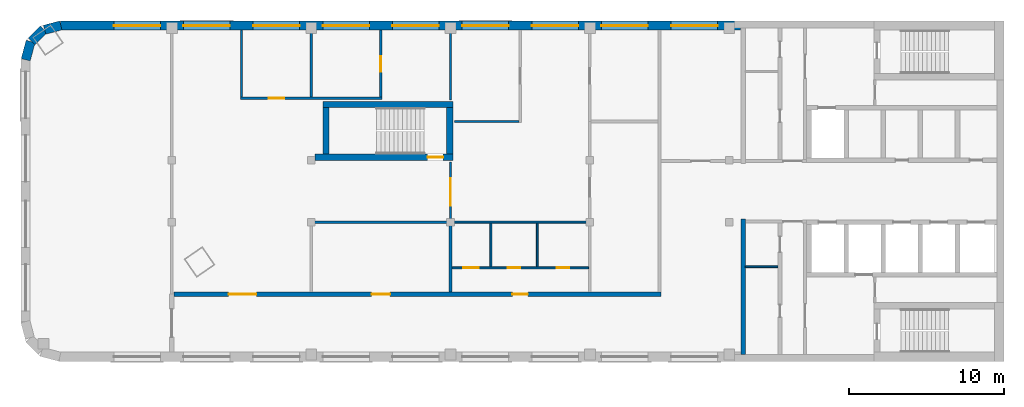
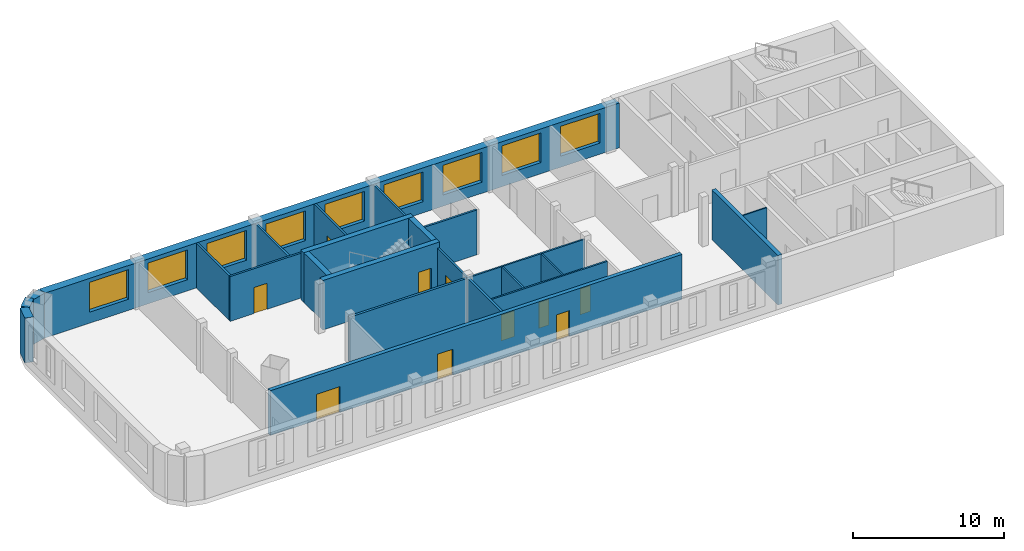
# One storey, part 2 of 5: 24 walls, 10 doors, 9 windows, 19 openings.
"""IFC4 building model written with IfcOpenShell, lengths in metres."""

import ifcopenshell
import ifcopenshell.guid

model = None  # the IFC model being written
_history = None  # IfcOwnerHistory: only IFC2X3 demands one
_inside = {}  # id of a spatial element -> (the spatial element, [elements in it])
_under = {}  # id of a project, library or spatial element -> (it, [spatial elements below it])
_declared = {}  # id of a project -> (the project, [libraries it declares])
_typed = {}  # id of a type object -> (the type object, [elements of that type])
_made_of = {}  # id of a material, layer set ... -> (it, [elements and type objects made of it])


def new_model(schema):
    """Start an empty IFC model of exactly this schema.

    Asked for "IFC4X3", IfcOpenShell would pick the latest addendum, in which some entities
    have other attributes; the version numbers below select the first issue.
    IFC2X3 requires an IfcOwnerHistory on every rooted entity: one is made here for all.
    """
    global model, _history
    if schema == "IFC4X3":
        model = ifcopenshell.file(schema_version=(4, 3, 0, 0))
    else:
        model = ifcopenshell.file(schema=schema)
    _inside.clear()
    _under.clear()
    _declared.clear()
    _typed.clear()
    _made_of.clear()
    _history = None
    if model.schema == "IFC2X3":
        org = make("IfcOrganization", Name="unknown")
        user = make(
            "IfcPersonAndOrganization",
            ThePerson=make("IfcPerson", FamilyName="unknown"),
            TheOrganization=org,
        )
        app = make(
            "IfcApplication",
            ApplicationDeveloper=org,
            Version="unknown",
            ApplicationFullName="unknown",
            ApplicationIdentifier="unknown",
        )
        _history = make(
            "IfcOwnerHistory",
            OwningUser=user,
            OwningApplication=app,
            ChangeAction="ADDED",
            CreationDate=0,
        )
    return model


def make(cls, **values):
    """One entity of the class cls with the attributes given. An attribute that is None is left unset."""
    return model.create_entity(
        cls, **{name: value for name, value in values.items() if value is not None}
    )


def rooted(cls, **values):
    """An entity with a GlobalId (a new one), such as an element, a storey or a relation."""
    return make(cls, GlobalId=ifcopenshell.guid.new(), OwnerHistory=_history, **values)


def si_unit(unit_type, name, prefix=None):
    """IfcSIUnit, for example si_unit("LENGTHUNIT", "METRE", prefix="MILLI")."""
    return make("IfcSIUnit", UnitType=unit_type, Prefix=prefix, Name=name)


def assignment(units):
    """IfcUnitAssignment: the units of a project."""
    return None if units is None else make("IfcUnitAssignment", Units=units)


def point(xyz):
    """IfcCartesianPoint."""
    return None if xyz is None else make("IfcCartesianPoint", Coordinates=xyz)


def direction(xyz):
    """IfcDirection."""
    return None if xyz is None else make("IfcDirection", DirectionRatios=xyz)


def frame(location, z_axis=None, x_axis=None):
    """IfcAxis2Placement3D, a coordinate frame: its origin and axes. An axis left out is left unset."""
    return make(
        "IfcAxis2Placement3D",
        Location=point(location),
        Axis=direction(z_axis),
        RefDirection=direction(x_axis),
    )


def frame_2d(location, x_axis=None):
    """IfcAxis2Placement2D, a coordinate frame in the plane: its origin and x axis."""
    return make(
        "IfcAxis2Placement2D", Location=point(location), RefDirection=direction(x_axis)
    )


def origin():
    """The frame at (0, 0, 0) with its axes left unset."""
    return frame((0.0, 0.0, 0.0))


def place(relative_to, where):
    """IfcLocalPlacement: puts the frame where relative to a parent placement (None: the world)."""
    return make(
        "IfcLocalPlacement", PlacementRelTo=relative_to, RelativePlacement=where
    )


def context(
    kind, dimensions, precision=None, world=None, true_north=None, identifier=None
):
    """IfcGeometricRepresentationContext, for example the 3D "Model" context."""
    return make(
        "IfcGeometricRepresentationContext",
        ContextIdentifier=identifier,
        ContextType=kind,
        CoordinateSpaceDimension=dimensions,
        Precision=precision,
        WorldCoordinateSystem=world,
        TrueNorth=true_north,
    )


def subcontext(parent, identifier, kind, view, scale=None):
    """IfcGeometricRepresentationSubContext, for example "Body" below "Model"."""
    return make(
        "IfcGeometricRepresentationSubContext",
        ContextIdentifier=identifier,
        ContextType=kind,
        ParentContext=parent,
        TargetScale=scale,
        TargetView=view,
    )


def project(units=None, contexts=None):
    """IfcProject with its units and contexts."""
    return rooted(
        "IfcProject",
        Name="project",
        RepresentationContexts=contexts,
        UnitsInContext=assignment(units),
    )


def spatial(cls, under=None, at=None, **own):
    """A site, building, storey or space (cls), placed at a placement, below another one or the project."""
    s = rooted(cls, ObjectPlacement=at, **own)
    if under is not None:
        _under.setdefault(under.id(), (under, []))[1].append(s)
    return s


def profile(cls, at=None, kind="AREA", **sizes):
    """A parametric profile (cls). Its sizes go by their IFC names, for example OverallWidth=200.0."""
    return make(cls, ProfileType=kind, Position=at, **sizes)


def rectangle(**sizes):
    """IfcRectangleProfileDef."""
    return profile("IfcRectangleProfileDef", **sizes)


def extrude(swept, where, along, depth):
    """IfcExtrudedAreaSolid: the profile swept, set in the frame where, extruded along a direction by depth."""
    return make(
        "IfcExtrudedAreaSolid",
        SweptArea=swept,
        Position=where,
        ExtrudedDirection=direction(along),
        Depth=depth,
    )


def shape(context_of_items, identifier, shape_type, items):
    """IfcShapeRepresentation: the items that make up one representation, for example the "Body"."""
    return make(
        "IfcShapeRepresentation",
        ContextOfItems=context_of_items,
        RepresentationIdentifier=identifier,
        RepresentationType=shape_type,
        Items=items,
    )


def material(Name=None, Category=None):
    """IfcMaterial."""
    return make("IfcMaterial", Name=Name, Category=Category)


def layer(
    of_material, thickness, ventilated=None, Name=None, Category=None, Priority=None
):
    """IfcMaterialLayer: one layer of a wall or slab, of a material (None: an air gap)."""
    return make(
        "IfcMaterialLayer",
        Material=of_material,
        LayerThickness=thickness,
        IsVentilated=ventilated,
        Name=Name,
        Category=Category,
        Priority=Priority,
    )


def layer_set(layers, Name=None):
    """IfcMaterialLayerSet."""
    return make("IfcMaterialLayerSet", MaterialLayers=layers, LayerSetName=Name)


def made_of(thing, what):
    """Note that an element or type object is made of a material, layer set ...; save() writes the relation."""
    if what is not None:
        _made_of.setdefault(what.id(), (what, []))[1].append(thing)
    return thing


def type_object(cls, material=None, **own):
    """A type object (cls), such as IfcWallType, which elements share."""
    return made_of(rooted(cls, **own), material)


def element(
    cls,
    number,
    at=None,
    inside=None,
    cuts=None,
    type_object=None,
    material=None,
    context=None,
    identifier="Body",
    shape_type=None,
    held_by="IfcProductDefinitionShape",
    body=None,
    shapes=None,
    **own,
):
    """One element of the class cls, such as IfcWall. Its Tag is "e" and its number.

    at: its placement. inside: the storey or other place that contains it. cuts: it is an
    opening in that element (IfcRelVoidsElement). A single representation is given by context,
    identifier, shape_type and body (its items); several are given by shapes. held_by: the class
    of the entity that holds the representations. save() writes the other relations.
    """
    e = rooted(cls, Tag="e%d" % number, ObjectPlacement=at, **own)
    if body is not None:
        shapes = [shape(context, identifier, shape_type, body)]
    if shapes is not None:
        e.Representation = make(held_by, Representations=shapes)
    if inside is not None:
        _inside.setdefault(inside.id(), (inside, []))[1].append(e)
    if cuts is not None:
        rooted(
            "IfcRelVoidsElement", RelatingBuildingElement=cuts, RelatedOpeningElement=e
        )
    if type_object is not None:
        _typed.setdefault(type_object.id(), (type_object, []))[1].append(e)
    return made_of(e, material)


def fill(opening, filler):
    """IfcRelFillsElement: the door or window that sits in an opening."""
    return rooted(
        "IfcRelFillsElement",
        RelatingOpeningElement=opening,
        RelatedBuildingElement=filler,
    )


def aggregate(whole, parts):
    """IfcRelAggregates: a whole, such as a stair, and the parts it consists of."""
    return rooted("IfcRelAggregates", RelatingObject=whole, RelatedObjects=parts)


def save(model, path):
    """Write the relations noted so far, then the file.

    IfcRelAggregates (storeys below a building ...), IfcRelContainedInSpatialStructure (elements
    in a storey), IfcRelDefinesByType, IfcRelAssociatesMaterial and IfcRelDeclares: one each for
    every whole, place, type object, material and project.
    """
    for whole, parts in _under.values():
        aggregate(whole, parts)
    for where, things in _inside.values():
        rooted(
            "IfcRelContainedInSpatialStructure",
            RelatedElements=things,
            RelatingStructure=where,
        )
    for kind, things in _typed.values():
        rooted("IfcRelDefinesByType", RelatedObjects=things, RelatingType=kind)
    for what, things in _made_of.values():
        rooted("IfcRelAssociatesMaterial", RelatedObjects=things, RelatingMaterial=what)
    for by, libraries in _declared.values():
        rooted("IfcRelDeclares", RelatingContext=by, RelatedDefinitions=libraries)
    model.write(path)


model = new_model("IFC4")

# Units and contexts
model_context = context("Model", 3, precision=1e-05, world=origin(), true_north=direction((0.0, 1.0)))
body_context = subcontext(model_context, "Body", "Model", "MODEL_VIEW")
ifc_project = project(units=[si_unit("LENGTHUNIT", "METRE"), si_unit("AREAUNIT", "SQUARE_METRE"), si_unit("VOLUMEUNIT", "CUBIC_METRE"), si_unit("PLANEANGLEUNIT", "RADIAN"), si_unit("MASSUNIT", "GRAM", prefix="KILO")], contexts=[model_context])

# Site, building, storey
site_placement = place(None, origin())
site = spatial("IfcSite", under=ifc_project, at=site_placement, CompositionType="ELEMENT")
building_placement = place(site_placement, origin())
building = spatial("IfcBuilding", under=site, at=building_placement, Name="Skarvind Civic Tower", CompositionType="ELEMENT")
storey_placement = place(building_placement, frame((0.0, 0.0, 261.5)))
storey = spatial("IfcBuildingStorey", under=building, at=storey_placement, Name="L62", CompositionType="ELEMENT", Elevation=261.5)

# Walls
ifc_material_1 = material(Name="Acoustic gypsum board on steel studs", Category="steel")
ifc_layer_1 = layer(ifc_material_1, 0.175048828125)
ifc_layer_set_1 = layer_set([ifc_layer_1], Name="ACOUSTIC MEETING-ROOM PARTITION 175")
wall_type_1 = type_object("IfcWallType", Name="ACOUSTIC MEETING-ROOM PARTITION 175", PredefinedType="PARTITIONING", material=ifc_layer_set_1)
wall_1_placement = place(storey_placement, frame((72.25, 121.5, 0.0), z_axis=(0.0, 0.0, 1.0), x_axis=(0.0, 1.0, 0.0)))
element("IfcWall", 1, at=wall_1_placement, inside=storey, type_object=wall_type_1, Name="Partition 62.009", PredefinedType="PARTITIONING", context=body_context, shape_type="SweptSolid", body=[
    extrude(rectangle(XDim=4.5, YDim=0.175048828125, at=frame_2d((2.25, 0.0))), origin(), (0.0, 0.0, 1.0), 3.625),
])
wall_2_placement = place(storey_placement, frame((72.25, 126.0, 0.0), z_axis=(0.0, 0.0, 1.0), x_axis=(-1.0, 0.0, 0.0)))
element("IfcWall", 2, at=wall_2_placement, inside=storey, type_object=wall_type_1, Name="Partition 62.011", PredefinedType="PARTITIONING", context=body_context, shape_type="SweptSolid", body=[
    extrude(rectangle(XDim=9.087890625, YDim=0.175048828125, at=frame_2d((4.5439453125, 0.0))), origin(), (0.0, 0.0, 1.0), 3.625),
])

# Wall, openings, doors
ifc_material_2 = material(Name="Fire-rated gypsum board on steel studs", Category="steel")
ifc_layer_2 = layer(ifc_material_2, 0.300048828125)
ifc_layer_set_2 = layer_set([ifc_layer_2], Name="CORRIDOR WALL 300")
wall_type_2 = type_object("IfcWallType", Name="CORRIDOR WALL 300", PredefinedType="PARTITIONING", material=ifc_layer_set_2)
wall_3_placement = place(storey_placement, frame((54.39990234375, 121.35009765625, 0.0), z_axis=(0.0, 0.0, 1.0), x_axis=(1.0, 0.0, 0.0)))
wall_3 = element("IfcWall", 3, at=wall_3_placement, inside=storey, type_object=wall_type_2, Name="Partition 62.002", PredefinedType="PARTITIONING", context=body_context, shape_type="SweptSolid", body=[
    extrude(rectangle(XDim=31.43798828125, YDim=0.300048828125, at=frame_2d((15.718994140625, 0.0))), origin(), (0.0, 0.0, 1.0), 3.625),
])
opening_1_placement = place(wall_3_placement, frame((21.85009765625, 0.0, 0.0)))
opening_1 = element("IfcOpeningElement", 4, at=opening_1_placement, cuts=wall_3, Name="Opening L62-D002", PredefinedType="OPENING", context=body_context, shape_type="SweptSolid", body=[
    extrude(rectangle(XDim=1.0, YDim=2.10009765625, at=frame_2d((0.5, 1.050048828125))), frame((0.0, 0.159912109375, 0.0), z_axis=(0.0, -1.0, 0.0), x_axis=(1.0, 0.0, 0.0)), (0.0, 0.0, 1.0), 0.320068359375),
])
opening_2_placement = place(wall_3_placement, frame((12.75, 0.0, 0.0)))
opening_2 = element("IfcOpeningElement", 5, at=opening_2_placement, cuts=wall_3, Name="Opening L62-D009", PredefinedType="OPENING", context=body_context, shape_type="SweptSolid", body=[
    extrude(rectangle(XDim=1.199951171875, YDim=2.10009765625, at=frame_2d((0.60009765625, 1.050048828125))), frame((0.0, 0.159912109375, 0.0), z_axis=(0.0, -1.0, 0.0), x_axis=(1.0, 0.0, 0.0)), (0.0, 0.0, 1.0), 0.320068359375),
])
opening_3_placement = place(wall_3_placement, frame((3.514892578125, 0.0, 0.0)))
opening_3 = element("IfcOpeningElement", 6, at=opening_3_placement, cuts=wall_3, Name="Opening L62-D012", PredefinedType="OPENING", context=body_context, shape_type="SweptSolid", body=[
    extrude(rectangle(XDim=1.800048828125, YDim=2.10009765625, at=frame_2d((0.89990234375, 1.050048828125))), frame((0.0, 0.159912109375, 0.0), z_axis=(0.0, -1.0, 0.0), x_axis=(1.0, 0.0, 0.0)), (0.0, 0.0, 1.0), 0.320068359375),
])
ifc_material_3 = material(Name="Fire-rated timber door leaf", Category="wood")
door_type_1 = type_object("IfcDoorType", Name="FD1 1000x2100", OperationType="NOTDEFINED", PredefinedType="DOOR", material=ifc_material_3)
door_1_placement = place(opening_1_placement, origin())
door_1 = element("IfcDoor", 7, at=door_1_placement, inside=storey, type_object=door_type_1, Name="Door L62-D002", OperationType="SINGLE_SWING_LEFT", OverallHeight=2.10009765625, OverallWidth=1.0, PredefinedType="DOOR", context=body_context, shape_type="SweptSolid", body=[
    extrude(rectangle(XDim=1.0, YDim=2.10009765625, at=frame_2d((0.5, 1.050048828125))), frame((0.0, 0.02490234375, 0.0), z_axis=(0.0, -1.0, 0.0), x_axis=(1.0, 0.0, 0.0)), (0.0, 0.0, 1.0), 0.050048828125),
])
fill(opening_1, door_1)
door_type_2 = type_object("IfcDoorType", Name="FD4 1800x2100", OperationType="NOTDEFINED", PredefinedType="DOOR", material=ifc_material_3)
door_2_placement = place(opening_3_placement, origin())
door_2 = element("IfcDoor", 8, at=door_2_placement, inside=storey, type_object=door_type_2, Name="Door L62-D012", OperationType="DOUBLE_DOOR_SINGLE_SWING", OverallHeight=2.10009765625, OverallWidth=1.800048828125, PredefinedType="DOOR", context=body_context, shape_type="SweptSolid", body=[
    extrude(rectangle(XDim=1.800048828125, YDim=2.10009765625, at=frame_2d((0.89990234375, 1.050048828125))), frame((0.0, 0.02490234375, 0.0), z_axis=(0.0, -1.0, 0.0), x_axis=(1.0, 0.0, 0.0)), (0.0, 0.0, 1.0), 0.050048828125),
])
fill(opening_3, door_2)
door_type_3 = type_object("IfcDoorType", Name="FD6 1200x2100 DOUBLE", OperationType="NOTDEFINED", PredefinedType="DOOR", material=ifc_material_3)
door_3_placement = place(opening_2_placement, origin())
door_3 = element("IfcDoor", 9, at=door_3_placement, inside=storey, type_object=door_type_3, Name="Door L62-D009", OperationType="DOUBLE_DOOR_SINGLE_SWING", OverallHeight=2.10009765625, OverallWidth=1.199951171875, PredefinedType="DOOR", context=body_context, shape_type="SweptSolid", body=[
    extrude(rectangle(XDim=1.199951171875, YDim=2.10009765625, at=frame_2d((0.60009765625, 1.050048828125))), frame((0.0, 0.02490234375, 0.0), z_axis=(0.0, -1.0, 0.0), x_axis=(1.0, 0.0, 0.0)), (0.0, 0.0, 1.0), 0.050048828125),
])
fill(opening_2, door_3)

# Walls
ifc_material_4 = material(Name="Fire-rated plasterboard partition")
ifc_layer_3 = layer(ifc_material_4, 0.10009765625)
ifc_layer_set_3 = layer_set([ifc_layer_3], Name="Core partition wall 100")
wall_type_3 = type_object("IfcWallType", Name="Core partition wall 100", PredefinedType="PARTITIONING", material=ifc_layer_set_3)
wall_4_placement = place(storey_placement, frame((93.39990234375, 123.1201171875, 0.0), z_axis=(0.0, 0.0, 1.0), x_axis=(-1.0, 0.0, 0.0)))
element("IfcWall", 10, at=wall_4_placement, inside=storey, type_object=wall_type_3, Name="Core wall C1", PredefinedType="PARTITIONING", context=body_context, shape_type="SweptSolid", body=[
    extrude(rectangle(XDim=2.099853515625, YDim=0.10009765625, at=frame_2d((1.0498046875, 0.0))), origin(), (0.0, 0.0, 1.0), 3.625),
])
ifc_material_5 = material(Name="Concrete C60", Category="concrete")
ifc_layer_4 = layer(ifc_material_5, 0.300048828125)
ifc_layer_set_4 = layer_set([ifc_layer_4], Name="Core wall 300 C60")
wall_type_4 = type_object("IfcWallType", Name="Core wall 300 C60", PredefinedType="SHEAR", material=ifc_layer_set_4)
wall_5_placement = place(storey_placement, frame((91.14990234375, 126.199951171875, 0.0), z_axis=(0.0, 0.0, 1.0), x_axis=(0.0, -1.0, 0.0)))
element("IfcWall", 11, at=wall_5_placement, inside=storey, type_object=wall_type_4, Name="Core wall C1 north inner face L62", PredefinedType="SHEAR", context=body_context, shape_type="SweptSolid", body=[
    extrude(rectangle(XDim=8.75, YDim=0.300048828125, at=frame_2d((4.375, 0.0))), origin(), (0.0, 0.0, 1.0), 4.0),
])

# Wall, opening, door
ifc_layer_5 = layer(ifc_material_5, 0.39990234375)
ifc_layer_set_5 = layer_set([ifc_layer_5], Name="Core wall 400 C60")
wall_type_5 = type_object("IfcWallType", Name="Core wall 400 C60", PredefinedType="SHEAR", material=ifc_layer_set_5)
wall_6_placement = place(storey_placement, frame((63.5, 130.199951171875, 0.0), z_axis=(0.0, 0.0, 1.0), x_axis=(1.0, 0.0, 0.0)))
wall_6 = element("IfcWall", 12, at=wall_6_placement, inside=storey, type_object=wall_type_5, Name="Core wall CM inner L62", PredefinedType="SHEAR", context=body_context, shape_type="SweptSolid", body=[
    extrude(rectangle(XDim=8.89990234375, YDim=0.39990234375, at=frame_2d((4.449951171875, 0.0))), origin(), (0.0, 0.0, 1.0), 4.0),
])
opening_4_placement = place(wall_6_placement, frame((7.27490234375, 0.0, 0.0)))
opening_4 = element("IfcOpeningElement", 13, at=opening_4_placement, cuts=wall_6, Name="Opening D-L62-CM-01", PredefinedType="OPENING", context=body_context, shape_type="SweptSolid", body=[
    extrude(rectangle(XDim=1.0, YDim=2.10009765625, at=frame_2d((0.5, 1.050048828125))), frame((0.0, 0.2099609375, 0.0), z_axis=(0.0, -1.0, 0.0), x_axis=(1.0, 0.0, 0.0)), (0.0, 0.0, 1.0), 0.419921875),
])
ifc_material_6 = material(Name="Fire-rated steel door", Category="steel")
door_type_4 = type_object("IfcDoorType", Name="Fire door 1000", OperationType="NOTDEFINED", PredefinedType="DOOR", material=ifc_material_6)
door_4_placement = place(opening_4_placement, origin())
door_4 = element("IfcDoor", 14, at=door_4_placement, inside=storey, type_object=door_type_4, Name="Fire door", OperationType="SINGLE_SWING_LEFT", OverallHeight=2.10009765625, OverallWidth=1.0, PredefinedType="DOOR", context=body_context, shape_type="SweptSolid", body=[
    extrude(rectangle(XDim=1.0, YDim=2.10009765625, at=frame_2d((0.5, 1.050048828125))), frame((0.0, 0.02490234375, 0.0), z_axis=(0.0, -1.0, 0.0), x_axis=(1.0, 0.0, 0.0)), (0.0, 0.0, 1.0), 0.050048828125),
])
fill(opening_4, door_4)

# Walls
wall_7_placement = place(storey_placement, frame((64.0, 133.60009765625, 0.0), z_axis=(0.0, 0.0, 1.0), x_axis=(1.0, 0.0, 0.0)))
element("IfcWall", 15, at=wall_7_placement, inside=storey, type_object=wall_type_5, Name="Core wall CM outer L62", PredefinedType="SHEAR", context=body_context, shape_type="SweptSolid", body=[
    extrude(rectangle(XDim=8.39990234375, YDim=0.39990234375, at=frame_2d((4.199951171875, 0.0))), origin(), (0.0, 0.0, 1.0), 4.0),
])
for number, where, z_axis, x_axis, name in (
    (16, (64.199951171875, 130.39990234375, 0.0), (0.0, 0.0, 1.0), (0.0, 1.0, 0.0), "Core wall CM west L62"),
    (17, (72.199951171875, 130.39990234375, 0.0), (0.0, 0.0, 1.0), (0.0, 1.0, 0.0), "Core wall CM end L62"),
):
    element("IfcWall", number, at=place(storey_placement, frame(where, z_axis=z_axis, x_axis=x_axis)), inside=storey, type_object=wall_type_5, Name=name, PredefinedType="SHEAR", context=body_context, shape_type="SweptSolid", body=[
        extrude(rectangle(XDim=3.0, YDim=0.39990234375, at=frame_2d((1.5, 0.0))), origin(), (0.0, 0.0, 1.0), 4.0),
    ])
ifc_material_7 = material(Name="Plasterboard partition on steel studs", Category="steel")
ifc_layer_6 = layer(ifc_material_7, 0.14990234375)
ifc_layer_set_6 = layer_set([ifc_layer_6], Name="PARTITION 150")
wall_type_6 = type_object("IfcWallType", Name="PARTITION 150", PredefinedType="PARTITIONING", material=ifc_layer_set_6)
wall_8_placement = place(storey_placement, frame((58.75, 134.074951171875, 0.0), z_axis=(0.0, 0.0, 1.0), x_axis=(0.0, 1.0, 0.0)))
element("IfcWall", 18, at=wall_8_placement, inside=storey, type_object=wall_type_6, Name="Partition 62.004", PredefinedType="PARTITIONING", context=body_context, shape_type="SweptSolid", body=[
    extrude(rectangle(XDim=4.324951171875, YDim=0.14990234375, at=frame_2d((2.16259765625, 0.0))), origin(), (0.0, 0.0, 1.0), 3.625),
])

# Wall, opening, door
wall_9_placement = place(storey_placement, frame((67.824951171875, 134.0, 0.0), z_axis=(0.0, 0.0, 1.0), x_axis=(-1.0, 0.0, 0.0)))
wall_9 = element("IfcWall", 19, at=wall_9_placement, inside=storey, type_object=wall_type_6, Name="Partition 62.005", PredefinedType="PARTITIONING", context=body_context, shape_type="SweptSolid", body=[
    extrude(rectangle(XDim=9.14990234375, YDim=0.14990234375, at=frame_2d((4.574951171875, 0.0))), origin(), (0.0, 0.0, 1.0), 3.625),
])
opening_5_placement = place(wall_9_placement, frame((6.324951171875, 0.0, 0.0)))
opening_5 = element("IfcOpeningElement", 20, at=opening_5_placement, cuts=wall_9, Name="Opening L62-D011", PredefinedType="OPENING", context=body_context, shape_type="SweptSolid", body=[
    extrude(rectangle(XDim=1.0, YDim=2.10009765625, at=frame_2d((0.5, 1.050048828125))), frame((0.0, 0.0849609375, 0.0), z_axis=(0.0, -1.0, 0.0), x_axis=(1.0, 0.0, 0.0)), (0.0, 0.0, 1.0), 0.169921875),
])
ifc_material_8 = material(Name="Timber door leaf", Category="wood")
door_type_5 = type_object("IfcDoorType", Name="D1 1000x2100", OperationType="NOTDEFINED", PredefinedType="DOOR", material=ifc_material_8)
door_5_placement = place(opening_5_placement, origin())
door_5 = element("IfcDoor", 21, at=door_5_placement, inside=storey, type_object=door_type_5, Name="Door L62-D011", OperationType="SINGLE_SWING_RIGHT", OverallHeight=2.10009765625, OverallWidth=1.0, PredefinedType="DOOR", context=body_context, shape_type="SweptSolid", body=[
    extrude(rectangle(XDim=1.0, YDim=2.10009765625, at=frame_2d((0.5, 1.050048828125))), frame((0.0, 0.02490234375, 0.0), z_axis=(0.0, -1.0, 0.0), x_axis=(1.0, 0.0, 0.0)), (0.0, 0.0, 1.0), 0.050048828125),
])
fill(opening_5, door_5)

# Wall
wall_10_placement = place(storey_placement, frame((63.25, 134.074951171875, 0.0), z_axis=(0.0, 0.0, 1.0), x_axis=(0.0, 1.0, 0.0)))
element("IfcWall", 22, at=wall_10_placement, inside=storey, type_object=wall_type_6, Name="Partition 62.007", PredefinedType="PARTITIONING", context=body_context, shape_type="SweptSolid", body=[
    extrude(rectangle(XDim=4.324951171875, YDim=0.14990234375, at=frame_2d((2.16259765625, 0.0))), origin(), (0.0, 0.0, 1.0), 3.625),
])

# Wall, opening, door
wall_11_placement = place(storey_placement, frame((67.75, 138.39990234375, 0.0), z_axis=(0.0, 0.0, 1.0), x_axis=(0.0, -1.0, 0.0)))
wall_11 = element("IfcWall", 23, at=wall_11_placement, inside=storey, type_object=wall_type_6, Name="Partition 62.008", PredefinedType="PARTITIONING", context=body_context, shape_type="SweptSolid", body=[
    extrude(rectangle(XDim=4.324951171875, YDim=0.14990234375, at=frame_2d((2.16259765625, 0.0))), origin(), (0.0, 0.0, 1.0), 3.625),
])
opening_6_placement = place(wall_11_placement, frame((1.672607421875, 0.0, 0.0)))
opening_6 = element("IfcOpeningElement", 24, at=opening_6_placement, cuts=wall_11, Name="Opening L62-D010", PredefinedType="OPENING", context=body_context, shape_type="SweptSolid", body=[
    extrude(rectangle(XDim=1.0, YDim=2.10009765625, at=frame_2d((0.5, 1.050048828125))), frame((0.0, 0.0849609375, 0.0), z_axis=(0.0, -1.0, 0.0), x_axis=(1.0, 0.0, 0.0)), (0.0, 0.0, 1.0), 0.169921875),
])
door_6_placement = place(opening_6_placement, origin())
door_6 = element("IfcDoor", 25, at=door_6_placement, inside=storey, type_object=door_type_5, Name="Door L62-D010", OperationType="SINGLE_SWING_LEFT", OverallHeight=2.10009765625, OverallWidth=1.0, PredefinedType="DOOR", context=body_context, shape_type="SweptSolid", body=[
    extrude(rectangle(XDim=1.0, YDim=2.10009765625, at=frame_2d((0.5, 1.050048828125))), frame((0.0, 0.02490234375, 0.0), z_axis=(0.0, -1.0, 0.0), x_axis=(1.0, 0.0, 0.0)), (0.0, 0.0, 1.0), 0.050048828125),
])
fill(opening_6, door_6)

wall_12_placement = place(storey_placement, frame((72.25, 126.0, 0.0), z_axis=(0.0, 0.0, 1.0), x_axis=(0.0, 1.0, 0.0)))
wall_12 = element("IfcWall", 26, at=wall_12_placement, inside=storey, type_object=wall_type_6, Name="Partition 62.012", PredefinedType="PARTITIONING", context=body_context, shape_type="SweptSolid", body=[
    extrude(rectangle(XDim=3.89990234375, YDim=0.14990234375, at=frame_2d((1.949951171875, 0.0))), origin(), (0.0, 0.0, 1.0), 3.625),
])
opening_7_placement = place(wall_12_placement, frame((1.050048828125, 0.0, 0.0)))
opening_7 = element("IfcOpeningElement", 27, at=opening_7_placement, cuts=wall_12, Name="Opening L62-D008", PredefinedType="OPENING", context=body_context, shape_type="SweptSolid", body=[
    extrude(rectangle(XDim=1.800048828125, YDim=2.10009765625, at=frame_2d((0.89990234375, 1.050048828125))), frame((0.0, 0.0849609375, 0.0), z_axis=(0.0, -1.0, 0.0), x_axis=(1.0, 0.0, 0.0)), (0.0, 0.0, 1.0), 0.169921875),
])
door_type_6 = type_object("IfcDoorType", Name="D4 1800x2100", OperationType="NOTDEFINED", PredefinedType="DOOR", material=ifc_material_8)
door_7_placement = place(opening_7_placement, origin())
door_7 = element("IfcDoor", 28, at=door_7_placement, inside=storey, type_object=door_type_6, Name="Door L62-D008", OperationType="DOUBLE_DOOR_SINGLE_SWING", OverallHeight=2.10009765625, OverallWidth=1.800048828125, PredefinedType="DOOR", context=body_context, shape_type="SweptSolid", body=[
    extrude(rectangle(XDim=1.800048828125, YDim=2.10009765625, at=frame_2d((0.89990234375, 1.050048828125))), frame((0.0, 0.02490234375, 0.0), z_axis=(0.0, -1.0, 0.0), x_axis=(1.0, 0.0, 0.0)), (0.0, 0.0, 1.0), 0.050048828125),
])
fill(opening_7, door_7)

# Walls
wall_13_placement = place(storey_placement, frame((72.25, 133.89990234375, 0.0), z_axis=(0.0, 0.0, 1.0), x_axis=(0.0, 1.0, 0.0)))
element("IfcWall", 29, at=wall_13_placement, inside=storey, type_object=wall_type_6, Name="Partition 62.014", PredefinedType="PARTITIONING", context=body_context, shape_type="SweptSolid", body=[
    extrude(rectangle(XDim=4.5, YDim=0.14990234375, at=frame_2d((2.25, 0.0))), origin(), (0.0, 0.0, 1.0), 3.625),
])
wall_14_placement = place(storey_placement, frame((76.675048828125, 132.5, 0.0), z_axis=(0.0, 0.0, 1.0), x_axis=(-1.0, 0.0, 0.0)))
element("IfcWall", 30, at=wall_14_placement, inside=storey, type_object=wall_type_6, Name="Partition 62.016", PredefinedType="PARTITIONING", context=body_context, shape_type="SweptSolid", body=[
    extrude(rectangle(XDim=4.175048828125, YDim=0.14990234375, at=frame_2d((2.08740234375, 0.0))), origin(), (0.0, 0.0, 1.0), 3.625),
])

# Wall, openings, doors
ifc_material_9 = material(Name="Moisture-resistant gypsum board on steel studs", Category="steel")
ifc_layer_7 = layer(ifc_material_9, 0.125)
ifc_layer_set_7 = layer_set([ifc_layer_7], Name="WC PARTITION 125")
wall_type_7 = type_object("IfcWallType", Name="WC PARTITION 125", PredefinedType="PARTITIONING", material=ifc_layer_set_7)
wall_15_placement = place(storey_placement, frame((72.337890625, 123.050048828125, 0.0), z_axis=(0.0, 0.0, 1.0), x_axis=(1.0, 0.0, 0.0)))
wall_15 = element("IfcWall", 31, at=wall_15_placement, inside=storey, type_object=wall_type_7, Name="Partition 62.010", PredefinedType="PARTITIONING", context=body_context, shape_type="SweptSolid", body=[
    extrude(rectangle(XDim=8.82421875, YDim=0.125, at=frame_2d((4.412109375, 0.0))), origin(), (0.0, 0.0, 1.0), 3.625),
])
opening_8_placement = place(wall_15_placement, frame((6.778076171875, 0.0, 0.0)))
opening_8 = element("IfcOpeningElement", 32, at=opening_8_placement, cuts=wall_15, Name="Opening L62-D003", PredefinedType="OPENING", context=body_context, shape_type="SweptSolid", body=[
    extrude(rectangle(XDim=0.800048828125, YDim=2.10009765625, at=frame_2d((0.39990234375, 1.050048828125))), frame((0.0, 0.072509765625, 0.0), z_axis=(0.0, -1.0, 0.0), x_axis=(1.0, 0.0, 0.0)), (0.0, 0.0, 1.0), 0.14501953125),
])
opening_9_placement = place(wall_15_placement, frame((3.612060546875, 0.0, 0.0)))
opening_9 = element("IfcOpeningElement", 33, at=opening_9_placement, cuts=wall_15, Name="Opening L62-D004", PredefinedType="OPENING", context=body_context, shape_type="SweptSolid", body=[
    extrude(rectangle(XDim=0.800048828125, YDim=2.10009765625, at=frame_2d((0.39990234375, 1.050048828125))), frame((0.0, 0.072509765625, 0.0), z_axis=(0.0, -1.0, 0.0), x_axis=(1.0, 0.0, 0.0)), (0.0, 0.0, 1.0), 0.14501953125),
])
opening_10_placement = place(wall_15_placement, frame((0.74609375, 0.0, 0.0)))
opening_10 = element("IfcOpeningElement", 34, at=opening_10_placement, cuts=wall_15, Name="Opening L62-D005", PredefinedType="OPENING", context=body_context, shape_type="SweptSolid", body=[
    extrude(rectangle(XDim=1.0, YDim=2.10009765625, at=frame_2d((0.5, 1.050048828125))), frame((0.0, 0.072509765625, 0.0), z_axis=(0.0, -1.0, 0.0), x_axis=(1.0, 0.0, 0.0)), (0.0, 0.0, 1.0), 0.14501953125),
])
door_8_placement = place(opening_10_placement, origin())
door_8 = element("IfcDoor", 35, at=door_8_placement, inside=storey, type_object=door_type_5, Name="Door L62-D005", OperationType="SINGLE_SWING_LEFT", OverallHeight=2.10009765625, OverallWidth=1.0, PredefinedType="DOOR", context=body_context, shape_type="SweptSolid", body=[
    extrude(rectangle(XDim=1.0, YDim=2.10009765625, at=frame_2d((0.5, 1.050048828125))), frame((0.0, 0.02490234375, 0.0), z_axis=(0.0, -1.0, 0.0), x_axis=(1.0, 0.0, 0.0)), (0.0, 0.0, 1.0), 0.050048828125),
])
fill(opening_10, door_8)
door_type_7 = type_object("IfcDoorType", Name="DOOR 800X2100 TIMBER", OperationType="NOTDEFINED", PredefinedType="DOOR", material=ifc_material_8)
door_9_placement = place(opening_8_placement, origin())
door_9 = element("IfcDoor", 36, at=door_9_placement, inside=storey, type_object=door_type_7, Name="Door L62-D003", OperationType="SINGLE_SWING_RIGHT", OverallHeight=2.10009765625, OverallWidth=0.800048828125, PredefinedType="DOOR", context=body_context, shape_type="SweptSolid", body=[
    extrude(rectangle(XDim=0.800048828125, YDim=2.10009765625, at=frame_2d((0.39990234375, 1.050048828125))), frame((0.0, 0.02490234375, 0.0), z_axis=(0.0, -1.0, 0.0), x_axis=(1.0, 0.0, 0.0)), (0.0, 0.0, 1.0), 0.050048828125),
])
fill(opening_8, door_9)
door_10_placement = place(opening_9_placement, origin())
door_10 = element("IfcDoor", 37, at=door_10_placement, inside=storey, type_object=door_type_7, Name="Door L62-D004", OperationType="SINGLE_SWING_LEFT", OverallHeight=2.10009765625, OverallWidth=0.800048828125, PredefinedType="DOOR", context=body_context, shape_type="SweptSolid", body=[
    extrude(rectangle(XDim=0.800048828125, YDim=2.10009765625, at=frame_2d((0.39990234375, 1.050048828125))), frame((0.0, 0.02490234375, 0.0), z_axis=(0.0, -1.0, 0.0), x_axis=(1.0, 0.0, 0.0)), (0.0, 0.0, 1.0), 0.050048828125),
])
fill(opening_9, door_10)

# Walls
wall_16_placement = place(storey_placement, frame((72.25, 126.0, 0.0), z_axis=(0.0, 0.0, 1.0), x_axis=(1.0, 0.0, 0.0)))
element("IfcWall", 38, at=wall_16_placement, inside=storey, type_object=wall_type_7, Name="Partition 62.013", PredefinedType="PARTITIONING", context=body_context, shape_type="SweptSolid", body=[
    extrude(rectangle(XDim=8.912109375, YDim=0.125, at=frame_2d((4.4560546875, 0.0))), origin(), (0.0, 0.0, 1.0), 3.625),
])
for number, where, z_axis, x_axis, name in (
    (39, (74.85009765625, 125.93798828125, 0.0), (0.0, 0.0, 1.0), (0.0, -1.0, 0.0), "Partition 62.015"),
    (40, (77.85009765625, 125.93798828125, 0.0), (0.0, 0.0, 1.0), (0.0, -1.0, 0.0), "Partition 62.018"),
):
    element("IfcWall", number, at=place(storey_placement, frame(where, z_axis=z_axis, x_axis=x_axis)), inside=storey, type_object=wall_type_7, Name=name, PredefinedType="PARTITIONING", context=body_context, shape_type="SweptSolid", body=[
        extrude(rectangle(XDim=2.825927734375, YDim=0.125, at=frame_2d((1.4130859375, 0.0))), origin(), (0.0, 0.0, 1.0), 3.625),
    ])

# Wall, openings, windows
ifc_material_10 = material(Name="Standing-seam zinc cladding on insulated backing")
ifc_layer_8 = layer(ifc_material_10, 0.60009765625)
ifc_layer_set_8 = layer_set([ifc_layer_8], Name="WX2 ZINC-CLAD FACADE WALL 600")
wall_type_8 = type_object("IfcWallType", Name="WX2 ZINC-CLAD FACADE WALL 600", PredefinedType="SOLIDWALL", material=ifc_layer_set_8)
wall_17_placement = place(storey_placement, frame((47.070068359375, 138.699951171875, 0.0), z_axis=(0.0, 0.0, 1.0), x_axis=(1.0, 0.0, 0.0)))
wall_17 = element("IfcWall", 41, at=wall_17_placement, inside=storey, type_object=wall_type_8, Name="ZINC-CLAD FACADE WALL", PredefinedType="SOLIDWALL", context=body_context, shape_type="SweptSolid", body=[
    extrude(rectangle(XDim=43.909912109375, YDim=0.60009765625, at=frame_2d((21.955078125, 0.0))), origin(), (0.0, 0.0, 1.0), 3.625),
])
opening_11_placement = place(wall_17_placement, frame((3.429931640625, 0.0, 0.89990234375)))
opening_11 = element("IfcOpeningElement", 42, at=opening_11_placement, cuts=wall_17, Name="Opening WN4", PredefinedType="OPENING", context=body_context, shape_type="SweptSolid", body=[
    extrude(rectangle(XDim=3.0, YDim=2.39990234375, at=frame_2d((1.5, 1.199951171875))), frame((0.0, 0.31005859375, 0.0), z_axis=(0.0, -1.0, 0.0), x_axis=(1.0, 0.0, 0.0)), (0.0, 0.0, 1.0), 0.6201171875),
])
opening_12_placement = place(wall_17_placement, frame((7.929931640625, 0.0, 0.89990234375)))
opening_12 = element("IfcOpeningElement", 43, at=opening_12_placement, cuts=wall_17, Name="Opening WN4", PredefinedType="OPENING", context=body_context, shape_type="SweptSolid", body=[
    extrude(rectangle(XDim=3.0, YDim=2.39990234375, at=frame_2d((1.5, 1.199951171875))), frame((0.0, 0.31005859375, 0.0), z_axis=(0.0, -1.0, 0.0), x_axis=(1.0, 0.0, 0.0)), (0.0, 0.0, 1.0), 0.6201171875),
])
opening_13_placement = place(wall_17_placement, frame((12.429931640625, 0.0, 0.89990234375)))
opening_13 = element("IfcOpeningElement", 44, at=opening_13_placement, cuts=wall_17, Name="Opening WN4", PredefinedType="OPENING", context=body_context, shape_type="SweptSolid", body=[
    extrude(rectangle(XDim=3.0, YDim=2.39990234375, at=frame_2d((1.5, 1.199951171875))), frame((0.0, 0.31005859375, 0.0), z_axis=(0.0, -1.0, 0.0), x_axis=(1.0, 0.0, 0.0)), (0.0, 0.0, 1.0), 0.6201171875),
])
opening_14_placement = place(wall_17_placement, frame((16.929931640625, 0.0, 0.89990234375)))
opening_14 = element("IfcOpeningElement", 45, at=opening_14_placement, cuts=wall_17, Name="Opening WN4", PredefinedType="OPENING", context=body_context, shape_type="SweptSolid", body=[
    extrude(rectangle(XDim=3.0, YDim=2.39990234375, at=frame_2d((1.5, 1.199951171875))), frame((0.0, 0.31005859375, 0.0), z_axis=(0.0, -1.0, 0.0), x_axis=(1.0, 0.0, 0.0)), (0.0, 0.0, 1.0), 0.6201171875),
])
opening_15_placement = place(wall_17_placement, frame((21.429931640625, 0.0, 0.89990234375)))
opening_15 = element("IfcOpeningElement", 46, at=opening_15_placement, cuts=wall_17, Name="Opening WN4", PredefinedType="OPENING", context=body_context, shape_type="SweptSolid", body=[
    extrude(rectangle(XDim=3.0, YDim=2.39990234375, at=frame_2d((1.5, 1.199951171875))), frame((0.0, 0.31005859375, 0.0), z_axis=(0.0, -1.0, 0.0), x_axis=(1.0, 0.0, 0.0)), (0.0, 0.0, 1.0), 0.6201171875),
])
opening_16_placement = place(wall_17_placement, frame((25.929931640625, 0.0, 0.89990234375)))
opening_16 = element("IfcOpeningElement", 47, at=opening_16_placement, cuts=wall_17, Name="Opening WN4", PredefinedType="OPENING", context=body_context, shape_type="SweptSolid", body=[
    extrude(rectangle(XDim=3.0, YDim=2.39990234375, at=frame_2d((1.5, 1.199951171875))), frame((0.0, 0.31005859375, 0.0), z_axis=(0.0, -1.0, 0.0), x_axis=(1.0, 0.0, 0.0)), (0.0, 0.0, 1.0), 0.6201171875),
])
opening_17_placement = place(wall_17_placement, frame((30.429931640625, 0.0, 0.89990234375)))
opening_17 = element("IfcOpeningElement", 48, at=opening_17_placement, cuts=wall_17, Name="Opening WN4", PredefinedType="OPENING", context=body_context, shape_type="SweptSolid", body=[
    extrude(rectangle(XDim=3.0, YDim=2.39990234375, at=frame_2d((1.5, 1.199951171875))), frame((0.0, 0.31005859375, 0.0), z_axis=(0.0, -1.0, 0.0), x_axis=(1.0, 0.0, 0.0)), (0.0, 0.0, 1.0), 0.6201171875),
])
opening_18_placement = place(wall_17_placement, frame((34.929931640625, 0.0, 0.89990234375)))
opening_18 = element("IfcOpeningElement", 49, at=opening_18_placement, cuts=wall_17, Name="Opening WN4", PredefinedType="OPENING", context=body_context, shape_type="SweptSolid", body=[
    extrude(rectangle(XDim=3.0, YDim=2.39990234375, at=frame_2d((1.5, 1.199951171875))), frame((0.0, 0.31005859375, 0.0), z_axis=(0.0, -1.0, 0.0), x_axis=(1.0, 0.0, 0.0)), (0.0, 0.0, 1.0), 0.6201171875),
])
opening_19_placement = place(wall_17_placement, frame((39.429931640625, 0.0, 0.89990234375)))
opening_19 = element("IfcOpeningElement", 50, at=opening_19_placement, cuts=wall_17, Name="Opening WN4", PredefinedType="OPENING", context=body_context, shape_type="SweptSolid", body=[
    extrude(rectangle(XDim=3.0, YDim=2.39990234375, at=frame_2d((1.5, 1.199951171875))), frame((0.0, 0.31005859375, 0.0), z_axis=(0.0, -1.0, 0.0), x_axis=(1.0, 0.0, 0.0)), (0.0, 0.0, 1.0), 0.6201171875),
])
ifc_material_11 = material(Name="Timber frame, double glazing, copper-lined reveal", Category="wood")
window_type = type_object("IfcWindowType", Name="WN4 COPPER-LINED WINDOW 3000 x 2400", PartitioningType="SINGLE_PANEL", PredefinedType="WINDOW", material=ifc_material_11)
window_1_placement = place(opening_11_placement, origin())
window_1 = element("IfcWindow", 51, at=window_1_placement, inside=storey, type_object=window_type, Name="WN4 WINDOW", OverallHeight=2.39990234375, OverallWidth=3.0, PartitioningType="SINGLE_PANEL", PredefinedType="WINDOW", context=body_context, shape_type="SweptSolid", body=[
    extrude(rectangle(XDim=3.0, YDim=2.39990234375, at=frame_2d((1.5, 1.199951171875))), frame((0.0, 0.030029296875, 0.0), z_axis=(0.0, -1.0, 0.0), x_axis=(1.0, 0.0, 0.0)), (0.0, 0.0, 1.0), 0.06005859375),
])
fill(opening_11, window_1)
window_2_placement = place(opening_12_placement, origin())
window_2 = element("IfcWindow", 52, at=window_2_placement, inside=storey, type_object=window_type, Name="WN4 WINDOW", OverallHeight=2.39990234375, OverallWidth=3.0, PartitioningType="SINGLE_PANEL", PredefinedType="WINDOW", context=body_context, shape_type="SweptSolid", body=[
    extrude(rectangle(XDim=3.0, YDim=2.39990234375, at=frame_2d((1.5, 1.199951171875))), frame((0.0, 0.030029296875, 0.0), z_axis=(0.0, -1.0, 0.0), x_axis=(1.0, 0.0, 0.0)), (0.0, 0.0, 1.0), 0.06005859375),
])
fill(opening_12, window_2)
window_3_placement = place(opening_13_placement, origin())
window_3 = element("IfcWindow", 53, at=window_3_placement, inside=storey, type_object=window_type, Name="WN4 WINDOW", OverallHeight=2.39990234375, OverallWidth=3.0, PartitioningType="SINGLE_PANEL", PredefinedType="WINDOW", context=body_context, shape_type="SweptSolid", body=[
    extrude(rectangle(XDim=3.0, YDim=2.39990234375, at=frame_2d((1.5, 1.199951171875))), frame((0.0, 0.030029296875, 0.0), z_axis=(0.0, -1.0, 0.0), x_axis=(1.0, 0.0, 0.0)), (0.0, 0.0, 1.0), 0.06005859375),
])
fill(opening_13, window_3)
window_4_placement = place(opening_14_placement, origin())
window_4 = element("IfcWindow", 54, at=window_4_placement, inside=storey, type_object=window_type, Name="WN4 WINDOW", OverallHeight=2.39990234375, OverallWidth=3.0, PartitioningType="SINGLE_PANEL", PredefinedType="WINDOW", context=body_context, shape_type="SweptSolid", body=[
    extrude(rectangle(XDim=3.0, YDim=2.39990234375, at=frame_2d((1.5, 1.199951171875))), frame((0.0, 0.030029296875, 0.0), z_axis=(0.0, -1.0, 0.0), x_axis=(1.0, 0.0, 0.0)), (0.0, 0.0, 1.0), 0.06005859375),
])
fill(opening_14, window_4)
window_5_placement = place(opening_15_placement, origin())
window_5 = element("IfcWindow", 55, at=window_5_placement, inside=storey, type_object=window_type, Name="WN4 WINDOW", OverallHeight=2.39990234375, OverallWidth=3.0, PartitioningType="SINGLE_PANEL", PredefinedType="WINDOW", context=body_context, shape_type="SweptSolid", body=[
    extrude(rectangle(XDim=3.0, YDim=2.39990234375, at=frame_2d((1.5, 1.199951171875))), frame((0.0, 0.030029296875, 0.0), z_axis=(0.0, -1.0, 0.0), x_axis=(1.0, 0.0, 0.0)), (0.0, 0.0, 1.0), 0.06005859375),
])
fill(opening_15, window_5)
window_6_placement = place(opening_16_placement, origin())
window_6 = element("IfcWindow", 56, at=window_6_placement, inside=storey, type_object=window_type, Name="WN4 WINDOW", OverallHeight=2.39990234375, OverallWidth=3.0, PartitioningType="SINGLE_PANEL", PredefinedType="WINDOW", context=body_context, shape_type="SweptSolid", body=[
    extrude(rectangle(XDim=3.0, YDim=2.39990234375, at=frame_2d((1.5, 1.199951171875))), frame((0.0, 0.030029296875, 0.0), z_axis=(0.0, -1.0, 0.0), x_axis=(1.0, 0.0, 0.0)), (0.0, 0.0, 1.0), 0.06005859375),
])
fill(opening_16, window_6)
window_7_placement = place(opening_17_placement, origin())
window_7 = element("IfcWindow", 57, at=window_7_placement, inside=storey, type_object=window_type, Name="WN4 WINDOW", OverallHeight=2.39990234375, OverallWidth=3.0, PartitioningType="SINGLE_PANEL", PredefinedType="WINDOW", context=body_context, shape_type="SweptSolid", body=[
    extrude(rectangle(XDim=3.0, YDim=2.39990234375, at=frame_2d((1.5, 1.199951171875))), frame((0.0, 0.030029296875, 0.0), z_axis=(0.0, -1.0, 0.0), x_axis=(1.0, 0.0, 0.0)), (0.0, 0.0, 1.0), 0.06005859375),
])
fill(opening_17, window_7)
window_8_placement = place(opening_18_placement, origin())
window_8 = element("IfcWindow", 58, at=window_8_placement, inside=storey, type_object=window_type, Name="WN4 WINDOW", OverallHeight=2.39990234375, OverallWidth=3.0, PartitioningType="SINGLE_PANEL", PredefinedType="WINDOW", context=body_context, shape_type="SweptSolid", body=[
    extrude(rectangle(XDim=3.0, YDim=2.39990234375, at=frame_2d((1.5, 1.199951171875))), frame((0.0, 0.030029296875, 0.0), z_axis=(0.0, -1.0, 0.0), x_axis=(1.0, 0.0, 0.0)), (0.0, 0.0, 1.0), 0.06005859375),
])
fill(opening_18, window_8)
window_9_placement = place(opening_19_placement, origin())
window_9 = element("IfcWindow", 59, at=window_9_placement, inside=storey, type_object=window_type, Name="WN4 WINDOW", OverallHeight=2.39990234375, OverallWidth=3.0, PartitioningType="SINGLE_PANEL", PredefinedType="WINDOW", context=body_context, shape_type="SweptSolid", body=[
    extrude(rectangle(XDim=3.0, YDim=2.39990234375, at=frame_2d((1.5, 1.199951171875))), frame((0.0, 0.030029296875, 0.0), z_axis=(0.0, -1.0, 0.0), x_axis=(1.0, 0.0, 0.0)), (0.0, 0.0, 1.0), 0.06005859375),
])
fill(opening_19, window_9)

# Walls
wall_18_placement = place(storey_placement, frame((46.030517578125, 138.4296875, 0.0), z_axis=(0.0, 0.0, 1.0), x_axis=(0.965939004864, 0.25876985698, 0.0)))
element("IfcWall", 60, at=wall_18_placement, inside=storey, type_object=wall_type_8, Name="ZINC-CLAD FACADE WALL", PredefinedType="SOLIDWALL", context=body_context, shape_type="SweptSolid", body=[
    extrude(rectangle(XDim=1.083984375, YDim=0.60009765625, at=frame_2d((0.5419921875, 0.0))), origin(), (0.0, 0.0, 1.0), 3.625),
])
wall_19_placement = place(storey_placement, frame((45.195556640625, 137.686279296875, 0.0), z_axis=(0.0, 0.0, 1.0), x_axis=(0.707106781187, 0.707106781187, 0.0)))
element("IfcWall", 61, at=wall_19_placement, inside=storey, type_object=wall_type_8, Name="ZINC-CLAD FACADE WALL", PredefinedType="SOLIDWALL", context=body_context, shape_type="SweptSolid", body=[
    extrude(rectangle(XDim=1.084228515625, YDim=0.60009765625, at=frame_2d((0.5419921875, 0.0))), origin(), (0.0, 0.0, 1.0), 3.625),
])
wall_20_placement = place(storey_placement, frame((44.807861328125, 136.489990234375, 0.0), z_axis=(0.0, 0.0, 1.0), x_axis=(0.258878975098, 0.965909766102, 0.0)))
element("IfcWall", 62, at=wall_20_placement, inside=storey, type_object=wall_type_8, Name="ZINC-CLAD FACADE WALL", PredefinedType="SOLIDWALL", context=body_context, shape_type="SweptSolid", body=[
    extrude(rectangle(XDim=1.22412109375, YDim=0.60009765625, at=frame_2d((0.612060546875, 0.0))), origin(), (0.0, 0.0, 1.0), 3.625),
])

save(model, "model.ifc")
